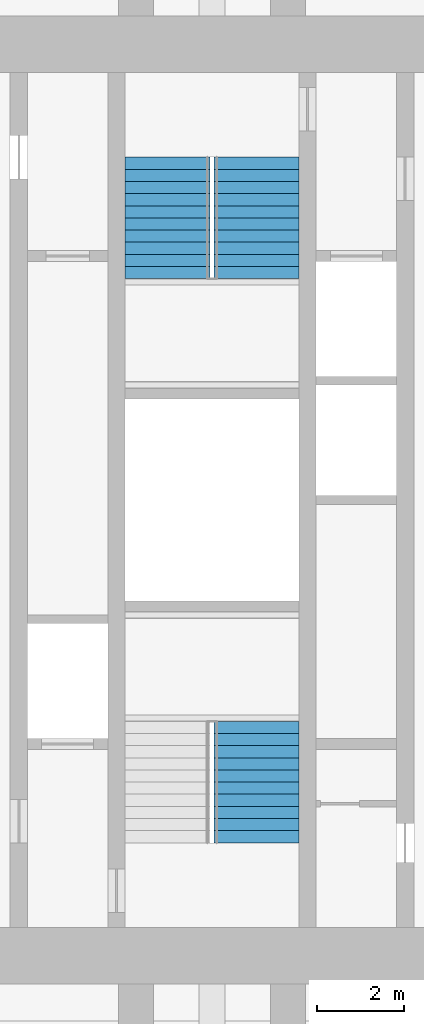
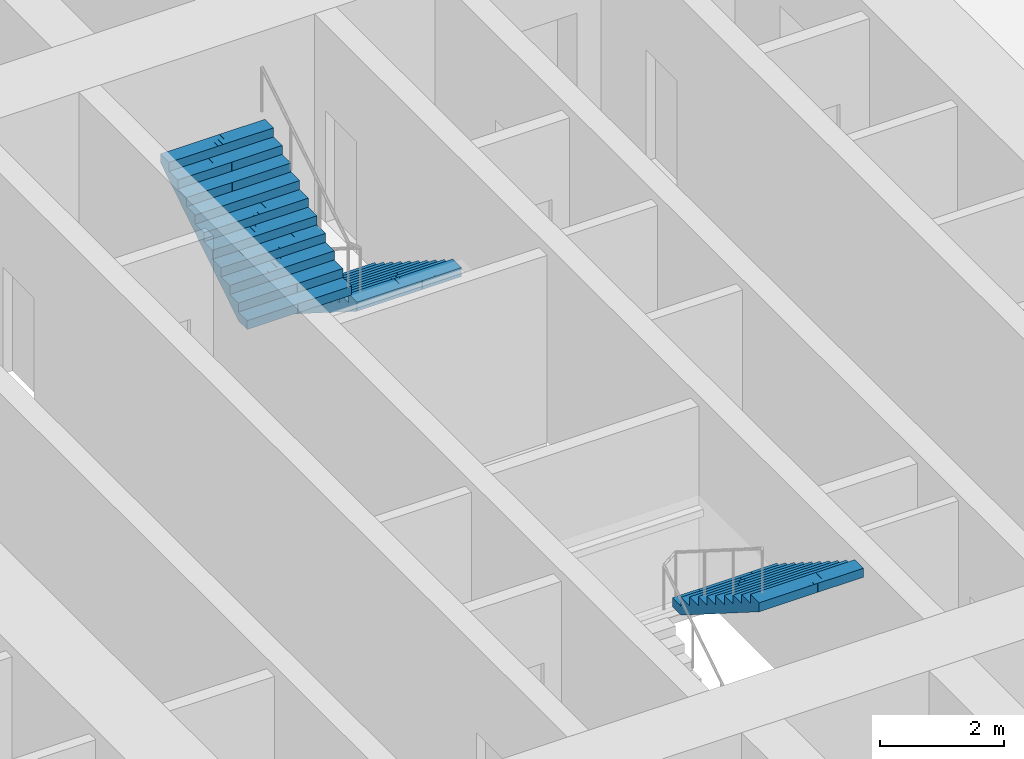
# One storey, part 16 of 17: 3 stair flights, 2 elements without a shape of their own.
"""IFC4 building model written with IfcOpenShell, lengths in metres."""

from ifc_helpers import new_model, si_unit, direction, frame, origin, place, context, subcontext, project, spatial, polyline, outline, extrude, material, type_object, element, aggregate, save


model = new_model("IFC4")

# Units and contexts
model_context = context("Model", 3, precision=1e-05, world=origin(), true_north=direction((0.0, 1.0)))
body_context = subcontext(model_context, "Body", "Model", "MODEL_VIEW")
ifc_project = project(units=[si_unit("LENGTHUNIT", "METRE"), si_unit("AREAUNIT", "SQUARE_METRE"), si_unit("VOLUMEUNIT", "CUBIC_METRE"), si_unit("PLANEANGLEUNIT", "RADIAN"), si_unit("MASSUNIT", "GRAM", prefix="KILO")], contexts=[model_context])

# Site, building, storey
site_placement = place(None, origin())
site = spatial("IfcSite", under=ifc_project, at=site_placement, CompositionType="ELEMENT")
building_placement = place(site_placement, origin())
building = spatial("IfcBuilding", under=site, at=building_placement, Name="Mizan Broadcast Tower", CompositionType="ELEMENT")
storey_placement = place(building_placement, frame((0.0, 0.0, 208.800048828125)))
storey = spatial("IfcBuildingStorey", under=building, at=storey_placement, Name="L48", CompositionType="ELEMENT", Elevation=208.800048828125)

# Stair, stair flight
ifc_material_1 = material(Name="Concrete C40/50", Category="concrete")
stair_type = type_object("IfcStairType", Name="EXIT STAIR", PredefinedType="HALF_TURN_STAIR", material=ifc_material_1)
stair_1_placement = place(storey_placement, origin())
stair_1 = element("IfcStair", 1, at=stair_1_placement, inside=storey, type_object=stair_type, Name="Stair A L48", PredefinedType="HALF_TURN_STAIR")
ifc_material_2 = material(Name="Concrete C40/50", Category="concrete")
stair_flight_type = type_object("IfcStairFlightType", Name="EXIT STAIR FLIGHT", PredefinedType="STRAIGHT", material=ifc_material_2)
stair_flight_1_placement = place(storey_placement, frame((1.02490234375, -5.10009765625, 1.949951171875), z_axis=(0.0, 0.0, 1.0), x_axis=(0.0, -1.0, 0.0)))
stair_flight_1 = element("IfcStairFlight", 2, at=stair_flight_1_placement, type_object=stair_flight_type, Name="A flight 2", NumberOfRisers=11, NumberOfTreads=10, PredefinedType="STRAIGHT", RiserHeight=0.177272727, TreadLength=0.28, context=body_context, shape_type="SweptSolid", body=[
    extrude(outline(polyline([(0.0, 0.0), (0.0, 0.17724609375), (0.280029296875, 0.17724609375), (0.280029296875, 0.3544921875), (0.56005859375, 0.3544921875), (0.56005859375, 0.53173828125), (0.840087890625, 0.53173828125), (0.840087890625, 0.708984375), (1.1201171875, 0.708984375), (1.1201171875, 0.886474609375), (1.39990234375, 0.886474609375), (1.39990234375, 1.063720703125), (1.679931640625, 1.063720703125), (1.679931640625, 1.240966796875), (1.9599609375, 1.240966796875), (1.9599609375, 1.418212890625), (2.239990234375, 1.418212890625), (2.239990234375, 1.595458984375), (2.52001953125, 1.595458984375), (2.52001953125, 1.772705078125), (2.800048828125, 1.772705078125), (2.800048828125, 1.949951171875), (2.800048828125, 1.59521484375), (0.2802734375, 0.0), (0.0, 0.0)])), frame((0.0, 0.97509765625, 0.0), z_axis=(0.0, -1.0, 0.0), x_axis=(1.0, 0.0, 0.0)), (0.0, 0.0, 1.0), 0.4873046875),
    extrude(outline(polyline([(0.0, 0.0), (0.0, 0.17724609375), (0.280029296875, 0.17724609375), (0.280029296875, 0.3544921875), (0.56005859375, 0.3544921875), (0.56005859375, 0.53173828125), (0.840087890625, 0.53173828125), (0.840087890625, 0.708984375), (1.1201171875, 0.708984375), (1.1201171875, 0.886474609375), (1.39990234375, 0.886474609375), (1.39990234375, 1.063720703125), (1.679931640625, 1.063720703125), (1.679931640625, 1.240966796875), (1.9599609375, 1.240966796875), (1.9599609375, 1.418212890625), (2.239990234375, 1.418212890625), (2.239990234375, 1.595458984375), (2.52001953125, 1.595458984375), (2.52001953125, 1.772705078125), (2.800048828125, 1.772705078125), (2.800048828125, 1.949951171875), (2.800048828125, 1.59521484375), (0.2802734375, 0.0), (0.0, 0.0)])), frame((0.0, 0.4873046875, 0.0), z_axis=(0.0, -1.0, 0.0), x_axis=(1.0, 0.0, 0.0)), (0.0, 0.0, 1.0), 0.2431640625),
    extrude(outline(polyline([(0.0, 0.0), (0.0, 0.17724609375), (0.280029296875, 0.17724609375), (0.280029296875, 0.3544921875), (0.56005859375, 0.3544921875), (0.56005859375, 0.53173828125), (0.840087890625, 0.53173828125), (0.840087890625, 0.708984375), (1.1201171875, 0.708984375), (1.1201171875, 0.886474609375), (1.39990234375, 0.886474609375), (1.39990234375, 1.063720703125), (1.679931640625, 1.063720703125), (1.679931640625, 1.240966796875), (1.9599609375, 1.240966796875), (1.9599609375, 1.418212890625), (2.239990234375, 1.418212890625), (2.239990234375, 1.595458984375), (2.52001953125, 1.595458984375), (2.52001953125, 1.772705078125), (2.800048828125, 1.772705078125), (2.800048828125, 1.949951171875), (2.800048828125, 1.59521484375), (0.2802734375, 0.0), (0.0, 0.0)])), frame((0.0, 0.24365234375, 0.0), z_axis=(0.0, -1.0, 0.0), x_axis=(1.0, 0.0, 0.0)), (0.0, 0.0, 1.0), 0.121337890625),
    extrude(outline(polyline([(0.0, 0.0), (0.0, 0.17724609375), (0.280029296875, 0.17724609375), (0.280029296875, 0.3544921875), (0.56005859375, 0.3544921875), (0.56005859375, 0.53173828125), (0.840087890625, 0.53173828125), (0.840087890625, 0.708984375), (1.1201171875, 0.708984375), (1.1201171875, 0.886474609375), (1.39990234375, 0.886474609375), (1.39990234375, 1.063720703125), (1.679931640625, 1.063720703125), (1.679931640625, 1.240966796875), (1.9599609375, 1.240966796875), (1.9599609375, 1.418212890625), (2.239990234375, 1.418212890625), (2.239990234375, 1.595458984375), (2.52001953125, 1.595458984375), (2.52001953125, 1.772705078125), (2.800048828125, 1.772705078125), (2.800048828125, 1.949951171875), (2.800048828125, 1.59521484375), (0.2802734375, 0.0), (0.0, 0.0)])), frame((0.0, 0.121826171875, 0.0), z_axis=(0.0, -1.0, 0.0), x_axis=(1.0, 0.0, 0.0)), (0.0, 0.0, 1.0), 0.060546875),
    extrude(outline(polyline([(0.0, 0.0), (0.0, 0.17724609375), (0.280029296875, 0.17724609375), (0.280029296875, 0.3544921875), (0.56005859375, 0.3544921875), (0.56005859375, 0.53173828125), (0.840087890625, 0.53173828125), (0.840087890625, 0.708984375), (1.1201171875, 0.708984375), (1.1201171875, 0.886474609375), (1.39990234375, 0.886474609375), (1.39990234375, 1.063720703125), (1.679931640625, 1.063720703125), (1.679931640625, 1.240966796875), (1.9599609375, 1.240966796875), (1.9599609375, 1.418212890625), (2.239990234375, 1.418212890625), (2.239990234375, 1.595458984375), (2.52001953125, 1.595458984375), (2.52001953125, 1.772705078125), (2.800048828125, 1.772705078125), (2.800048828125, 1.949951171875), (2.800048828125, 1.59521484375), (0.2802734375, 0.0), (0.0, 0.0)])), frame((0.0, 0.060791015625, 0.0), z_axis=(0.0, -1.0, 0.0), x_axis=(1.0, 0.0, 0.0)), (0.0, 0.0, 1.0), 0.030029296875),
    extrude(outline(polyline([(0.0, 0.0), (0.0, 0.17724609375), (0.280029296875, 0.17724609375), (0.280029296875, 0.3544921875), (0.56005859375, 0.3544921875), (0.56005859375, 0.53173828125), (0.840087890625, 0.53173828125), (0.840087890625, 0.708984375), (1.1201171875, 0.708984375), (1.1201171875, 0.886474609375), (1.39990234375, 0.886474609375), (1.39990234375, 1.063720703125), (1.679931640625, 1.063720703125), (1.679931640625, 1.240966796875), (1.9599609375, 1.240966796875), (1.9599609375, 1.418212890625), (2.239990234375, 1.418212890625), (2.239990234375, 1.595458984375), (2.52001953125, 1.595458984375), (2.52001953125, 1.772705078125), (2.800048828125, 1.772705078125), (2.800048828125, 1.949951171875), (2.800048828125, 1.59521484375), (0.2802734375, 0.0), (0.0, 0.0)])), frame((0.0, 0.0302734375, 0.0), z_axis=(0.0, -1.0, 0.0), x_axis=(1.0, 0.0, 0.0)), (0.0, 0.0, 1.0), 0.060302734375),
    extrude(outline(polyline([(0.0, 0.0), (0.0, 0.17724609375), (0.280029296875, 0.17724609375), (0.280029296875, 0.3544921875), (0.56005859375, 0.3544921875), (0.56005859375, 0.53173828125), (0.840087890625, 0.53173828125), (0.840087890625, 0.708984375), (1.1201171875, 0.708984375), (1.1201171875, 0.886474609375), (1.39990234375, 0.886474609375), (1.39990234375, 1.063720703125), (1.679931640625, 1.063720703125), (1.679931640625, 1.240966796875), (1.9599609375, 1.240966796875), (1.9599609375, 1.418212890625), (2.239990234375, 1.418212890625), (2.239990234375, 1.595458984375), (2.52001953125, 1.595458984375), (2.52001953125, 1.772705078125), (2.800048828125, 1.772705078125), (2.800048828125, 1.949951171875), (2.800048828125, 1.59521484375), (0.2802734375, 0.0), (0.0, 0.0)])), frame((0.0, -0.030517578125, 0.0), z_axis=(0.0, -1.0, 0.0), x_axis=(1.0, 0.0, 0.0)), (0.0, 0.0, 1.0), 0.030029296875),
    extrude(outline(polyline([(0.0, 0.0), (0.0, 0.17724609375), (0.280029296875, 0.17724609375), (0.280029296875, 0.3544921875), (0.56005859375, 0.3544921875), (0.56005859375, 0.53173828125), (0.840087890625, 0.53173828125), (0.840087890625, 0.708984375), (1.1201171875, 0.708984375), (1.1201171875, 0.886474609375), (1.39990234375, 0.886474609375), (1.39990234375, 1.063720703125), (1.679931640625, 1.063720703125), (1.679931640625, 1.240966796875), (1.9599609375, 1.240966796875), (1.9599609375, 1.418212890625), (2.239990234375, 1.418212890625), (2.239990234375, 1.595458984375), (2.52001953125, 1.595458984375), (2.52001953125, 1.772705078125), (2.800048828125, 1.772705078125), (2.800048828125, 1.949951171875), (2.800048828125, 1.59521484375), (0.2802734375, 0.0), (0.0, 0.0)])), frame((0.0, -0.06103515625, 0.0), z_axis=(0.0, -1.0, 0.0), x_axis=(1.0, 0.0, 0.0)), (0.0, 0.0, 1.0), 0.060546875),
    extrude(outline(polyline([(0.0, 0.0), (0.0, 0.17724609375), (0.280029296875, 0.17724609375), (0.280029296875, 0.3544921875), (0.56005859375, 0.3544921875), (0.56005859375, 0.53173828125), (0.840087890625, 0.53173828125), (0.840087890625, 0.708984375), (1.1201171875, 0.708984375), (1.1201171875, 0.886474609375), (1.39990234375, 0.886474609375), (1.39990234375, 1.063720703125), (1.679931640625, 1.063720703125), (1.679931640625, 1.240966796875), (1.9599609375, 1.240966796875), (1.9599609375, 1.418212890625), (2.239990234375, 1.418212890625), (2.239990234375, 1.595458984375), (2.52001953125, 1.595458984375), (2.52001953125, 1.772705078125), (2.800048828125, 1.772705078125), (2.800048828125, 1.949951171875), (2.800048828125, 1.59521484375), (0.2802734375, 0.0), (0.0, 0.0)])), frame((0.0, -0.1220703125, 0.0), z_axis=(0.0, -1.0, 0.0), x_axis=(1.0, 0.0, 0.0)), (0.0, 0.0, 1.0), 0.121337890625),
    extrude(outline(polyline([(0.0, 0.0), (0.0, 0.17724609375), (0.280029296875, 0.17724609375), (0.280029296875, 0.3544921875), (0.56005859375, 0.3544921875), (0.56005859375, 0.53173828125), (0.840087890625, 0.53173828125), (0.840087890625, 0.708984375), (1.1201171875, 0.708984375), (1.1201171875, 0.886474609375), (1.39990234375, 0.886474609375), (1.39990234375, 1.063720703125), (1.679931640625, 1.063720703125), (1.679931640625, 1.240966796875), (1.9599609375, 1.240966796875), (1.9599609375, 1.418212890625), (2.239990234375, 1.418212890625), (2.239990234375, 1.595458984375), (2.52001953125, 1.595458984375), (2.52001953125, 1.772705078125), (2.800048828125, 1.772705078125), (2.800048828125, 1.949951171875), (2.800048828125, 1.59521484375), (0.2802734375, 0.0), (0.0, 0.0)])), frame((0.0, -0.243896484375, 0.0), z_axis=(0.0, -1.0, 0.0), x_axis=(1.0, 0.0, 0.0)), (0.0, 0.0, 1.0), 0.2431640625),
    extrude(outline(polyline([(0.0, 0.0), (0.0, 0.17724609375), (0.280029296875, 0.17724609375), (0.280029296875, 0.3544921875), (0.56005859375, 0.3544921875), (0.56005859375, 0.53173828125), (0.840087890625, 0.53173828125), (0.840087890625, 0.708984375), (1.1201171875, 0.708984375), (1.1201171875, 0.886474609375), (1.39990234375, 0.886474609375), (1.39990234375, 1.063720703125), (1.679931640625, 1.063720703125), (1.679931640625, 1.240966796875), (1.9599609375, 1.240966796875), (1.9599609375, 1.418212890625), (2.239990234375, 1.418212890625), (2.239990234375, 1.595458984375), (2.52001953125, 1.595458984375), (2.52001953125, 1.772705078125), (2.800048828125, 1.772705078125), (2.800048828125, 1.949951171875), (2.800048828125, 1.59521484375), (0.2802734375, 0.0), (0.0, 0.0)])), frame((0.0, -0.487548828125, 0.0), z_axis=(0.0, -1.0, 0.0), x_axis=(1.0, 0.0, 0.0)), (0.0, 0.0, 1.0), 0.4873046875),
])
aggregate(stair_1, [stair_flight_1])

# Stair, stair flights
stair_2_placement = place(storey_placement, origin())
stair_2 = element("IfcStair", 3, at=stair_2_placement, inside=storey, type_object=stair_type, Name="Stair B L48", PredefinedType="HALF_TURN_STAIR")
stair_flight_2_placement = place(storey_placement, frame((1.02490234375, 7.89990234375, 0.0), z_axis=(0.0, 0.0, 1.0), x_axis=(0.0, -1.0, 0.0)))
stair_flight_2 = element("IfcStairFlight", 4, at=stair_flight_2_placement, type_object=stair_flight_type, Name="B flight 1", NumberOfRisers=11, NumberOfTreads=10, PredefinedType="STRAIGHT", RiserHeight=0.177272727, TreadLength=0.28, context=body_context, shape_type="SweptSolid", body=[
    extrude(outline(polyline([(0.0, 0.0), (0.0, 0.17724609375), (0.280029296875, 0.17724609375), (0.280029296875, 0.3544921875), (0.56005859375, 0.3544921875), (0.56005859375, 0.53173828125), (0.840087890625, 0.53173828125), (0.840087890625, 0.708984375), (1.1201171875, 0.708984375), (1.1201171875, 0.886474609375), (1.39990234375, 0.886474609375), (1.39990234375, 1.063720703125), (1.679931640625, 1.063720703125), (1.679931640625, 1.240966796875), (1.9599609375, 1.240966796875), (1.9599609375, 1.418212890625), (2.239990234375, 1.418212890625), (2.239990234375, 1.595458984375), (2.52001953125, 1.595458984375), (2.52001953125, 1.772705078125), (2.800048828125, 1.772705078125), (2.800048828125, 1.949951171875), (2.800048828125, 1.59521484375), (0.2802734375, 0.0), (0.0, 0.0)])), frame((0.0, 0.97509765625, 0.0), z_axis=(0.0, -1.0, 0.0), x_axis=(1.0, 0.0, 0.0)), (0.0, 0.0, 1.0), 0.4873046875),
    extrude(outline(polyline([(0.0, 0.0), (0.0, 0.17724609375), (0.280029296875, 0.17724609375), (0.280029296875, 0.3544921875), (0.56005859375, 0.3544921875), (0.56005859375, 0.53173828125), (0.840087890625, 0.53173828125), (0.840087890625, 0.708984375), (1.1201171875, 0.708984375), (1.1201171875, 0.886474609375), (1.39990234375, 0.886474609375), (1.39990234375, 1.063720703125), (1.679931640625, 1.063720703125), (1.679931640625, 1.240966796875), (1.9599609375, 1.240966796875), (1.9599609375, 1.418212890625), (2.239990234375, 1.418212890625), (2.239990234375, 1.595458984375), (2.52001953125, 1.595458984375), (2.52001953125, 1.772705078125), (2.800048828125, 1.772705078125), (2.800048828125, 1.949951171875), (2.800048828125, 1.59521484375), (0.2802734375, 0.0), (0.0, 0.0)])), frame((0.0, 0.4873046875, 0.0), z_axis=(0.0, -1.0, 0.0), x_axis=(1.0, 0.0, 0.0)), (0.0, 0.0, 1.0), 0.2431640625),
    extrude(outline(polyline([(0.0, 0.0), (0.0, 0.17724609375), (0.280029296875, 0.17724609375), (0.280029296875, 0.3544921875), (0.56005859375, 0.3544921875), (0.56005859375, 0.53173828125), (0.840087890625, 0.53173828125), (0.840087890625, 0.708984375), (1.1201171875, 0.708984375), (1.1201171875, 0.886474609375), (1.39990234375, 0.886474609375), (1.39990234375, 1.063720703125), (1.679931640625, 1.063720703125), (1.679931640625, 1.240966796875), (1.9599609375, 1.240966796875), (1.9599609375, 1.418212890625), (2.239990234375, 1.418212890625), (2.239990234375, 1.595458984375), (2.52001953125, 1.595458984375), (2.52001953125, 1.772705078125), (2.800048828125, 1.772705078125), (2.800048828125, 1.949951171875), (2.800048828125, 1.59521484375), (0.2802734375, 0.0), (0.0, 0.0)])), frame((0.0, 0.24365234375, 0.0), z_axis=(0.0, -1.0, 0.0), x_axis=(1.0, 0.0, 0.0)), (0.0, 0.0, 1.0), 0.121337890625),
    extrude(outline(polyline([(0.0, 0.0), (0.0, 0.17724609375), (0.280029296875, 0.17724609375), (0.280029296875, 0.3544921875), (0.56005859375, 0.3544921875), (0.56005859375, 0.53173828125), (0.840087890625, 0.53173828125), (0.840087890625, 0.708984375), (1.1201171875, 0.708984375), (1.1201171875, 0.886474609375), (1.39990234375, 0.886474609375), (1.39990234375, 1.063720703125), (1.679931640625, 1.063720703125), (1.679931640625, 1.240966796875), (1.9599609375, 1.240966796875), (1.9599609375, 1.418212890625), (2.239990234375, 1.418212890625), (2.239990234375, 1.595458984375), (2.52001953125, 1.595458984375), (2.52001953125, 1.772705078125), (2.800048828125, 1.772705078125), (2.800048828125, 1.949951171875), (2.800048828125, 1.59521484375), (0.2802734375, 0.0), (0.0, 0.0)])), frame((0.0, 0.121826171875, 0.0), z_axis=(0.0, -1.0, 0.0), x_axis=(1.0, 0.0, 0.0)), (0.0, 0.0, 1.0), 0.060546875),
    extrude(outline(polyline([(0.0, 0.0), (0.0, 0.17724609375), (0.280029296875, 0.17724609375), (0.280029296875, 0.3544921875), (0.56005859375, 0.3544921875), (0.56005859375, 0.53173828125), (0.840087890625, 0.53173828125), (0.840087890625, 0.708984375), (1.1201171875, 0.708984375), (1.1201171875, 0.886474609375), (1.39990234375, 0.886474609375), (1.39990234375, 1.063720703125), (1.679931640625, 1.063720703125), (1.679931640625, 1.240966796875), (1.9599609375, 1.240966796875), (1.9599609375, 1.418212890625), (2.239990234375, 1.418212890625), (2.239990234375, 1.595458984375), (2.52001953125, 1.595458984375), (2.52001953125, 1.772705078125), (2.800048828125, 1.772705078125), (2.800048828125, 1.949951171875), (2.800048828125, 1.59521484375), (0.2802734375, 0.0), (0.0, 0.0)])), frame((0.0, 0.060791015625, 0.0), z_axis=(0.0, -1.0, 0.0), x_axis=(1.0, 0.0, 0.0)), (0.0, 0.0, 1.0), 0.030029296875),
    extrude(outline(polyline([(0.0, 0.0), (0.0, 0.17724609375), (0.280029296875, 0.17724609375), (0.280029296875, 0.3544921875), (0.56005859375, 0.3544921875), (0.56005859375, 0.53173828125), (0.840087890625, 0.53173828125), (0.840087890625, 0.708984375), (1.1201171875, 0.708984375), (1.1201171875, 0.886474609375), (1.39990234375, 0.886474609375), (1.39990234375, 1.063720703125), (1.679931640625, 1.063720703125), (1.679931640625, 1.240966796875), (1.9599609375, 1.240966796875), (1.9599609375, 1.418212890625), (2.239990234375, 1.418212890625), (2.239990234375, 1.595458984375), (2.52001953125, 1.595458984375), (2.52001953125, 1.772705078125), (2.800048828125, 1.772705078125), (2.800048828125, 1.949951171875), (2.800048828125, 1.59521484375), (0.2802734375, 0.0), (0.0, 0.0)])), frame((0.0, 0.0302734375, 0.0), z_axis=(0.0, -1.0, 0.0), x_axis=(1.0, 0.0, 0.0)), (0.0, 0.0, 1.0), 0.060302734375),
    extrude(outline(polyline([(0.0, 0.0), (0.0, 0.17724609375), (0.280029296875, 0.17724609375), (0.280029296875, 0.3544921875), (0.56005859375, 0.3544921875), (0.56005859375, 0.53173828125), (0.840087890625, 0.53173828125), (0.840087890625, 0.708984375), (1.1201171875, 0.708984375), (1.1201171875, 0.886474609375), (1.39990234375, 0.886474609375), (1.39990234375, 1.063720703125), (1.679931640625, 1.063720703125), (1.679931640625, 1.240966796875), (1.9599609375, 1.240966796875), (1.9599609375, 1.418212890625), (2.239990234375, 1.418212890625), (2.239990234375, 1.595458984375), (2.52001953125, 1.595458984375), (2.52001953125, 1.772705078125), (2.800048828125, 1.772705078125), (2.800048828125, 1.949951171875), (2.800048828125, 1.59521484375), (0.2802734375, 0.0), (0.0, 0.0)])), frame((0.0, -0.030517578125, 0.0), z_axis=(0.0, -1.0, 0.0), x_axis=(1.0, 0.0, 0.0)), (0.0, 0.0, 1.0), 0.030029296875),
    extrude(outline(polyline([(0.0, 0.0), (0.0, 0.17724609375), (0.280029296875, 0.17724609375), (0.280029296875, 0.3544921875), (0.56005859375, 0.3544921875), (0.56005859375, 0.53173828125), (0.840087890625, 0.53173828125), (0.840087890625, 0.708984375), (1.1201171875, 0.708984375), (1.1201171875, 0.886474609375), (1.39990234375, 0.886474609375), (1.39990234375, 1.063720703125), (1.679931640625, 1.063720703125), (1.679931640625, 1.240966796875), (1.9599609375, 1.240966796875), (1.9599609375, 1.418212890625), (2.239990234375, 1.418212890625), (2.239990234375, 1.595458984375), (2.52001953125, 1.595458984375), (2.52001953125, 1.772705078125), (2.800048828125, 1.772705078125), (2.800048828125, 1.949951171875), (2.800048828125, 1.59521484375), (0.2802734375, 0.0), (0.0, 0.0)])), frame((0.0, -0.06103515625, 0.0), z_axis=(0.0, -1.0, 0.0), x_axis=(1.0, 0.0, 0.0)), (0.0, 0.0, 1.0), 0.060546875),
    extrude(outline(polyline([(0.0, 0.0), (0.0, 0.17724609375), (0.280029296875, 0.17724609375), (0.280029296875, 0.3544921875), (0.56005859375, 0.3544921875), (0.56005859375, 0.53173828125), (0.840087890625, 0.53173828125), (0.840087890625, 0.708984375), (1.1201171875, 0.708984375), (1.1201171875, 0.886474609375), (1.39990234375, 0.886474609375), (1.39990234375, 1.063720703125), (1.679931640625, 1.063720703125), (1.679931640625, 1.240966796875), (1.9599609375, 1.240966796875), (1.9599609375, 1.418212890625), (2.239990234375, 1.418212890625), (2.239990234375, 1.595458984375), (2.52001953125, 1.595458984375), (2.52001953125, 1.772705078125), (2.800048828125, 1.772705078125), (2.800048828125, 1.949951171875), (2.800048828125, 1.59521484375), (0.2802734375, 0.0), (0.0, 0.0)])), frame((0.0, -0.1220703125, 0.0), z_axis=(0.0, -1.0, 0.0), x_axis=(1.0, 0.0, 0.0)), (0.0, 0.0, 1.0), 0.121337890625),
    extrude(outline(polyline([(0.0, 0.0), (0.0, 0.17724609375), (0.280029296875, 0.17724609375), (0.280029296875, 0.3544921875), (0.56005859375, 0.3544921875), (0.56005859375, 0.53173828125), (0.840087890625, 0.53173828125), (0.840087890625, 0.708984375), (1.1201171875, 0.708984375), (1.1201171875, 0.886474609375), (1.39990234375, 0.886474609375), (1.39990234375, 1.063720703125), (1.679931640625, 1.063720703125), (1.679931640625, 1.240966796875), (1.9599609375, 1.240966796875), (1.9599609375, 1.418212890625), (2.239990234375, 1.418212890625), (2.239990234375, 1.595458984375), (2.52001953125, 1.595458984375), (2.52001953125, 1.772705078125), (2.800048828125, 1.772705078125), (2.800048828125, 1.949951171875), (2.800048828125, 1.59521484375), (0.2802734375, 0.0), (0.0, 0.0)])), frame((0.0, -0.243896484375, 0.0), z_axis=(0.0, -1.0, 0.0), x_axis=(1.0, 0.0, 0.0)), (0.0, 0.0, 1.0), 0.2431640625),
    extrude(outline(polyline([(0.0, 0.0), (0.0, 0.17724609375), (0.280029296875, 0.17724609375), (0.280029296875, 0.3544921875), (0.56005859375, 0.3544921875), (0.56005859375, 0.53173828125), (0.840087890625, 0.53173828125), (0.840087890625, 0.708984375), (1.1201171875, 0.708984375), (1.1201171875, 0.886474609375), (1.39990234375, 0.886474609375), (1.39990234375, 1.063720703125), (1.679931640625, 1.063720703125), (1.679931640625, 1.240966796875), (1.9599609375, 1.240966796875), (1.9599609375, 1.418212890625), (2.239990234375, 1.418212890625), (2.239990234375, 1.595458984375), (2.52001953125, 1.595458984375), (2.52001953125, 1.772705078125), (2.800048828125, 1.772705078125), (2.800048828125, 1.949951171875), (2.800048828125, 1.59521484375), (0.2802734375, 0.0), (0.0, 0.0)])), frame((0.0, -0.487548828125, 0.0), z_axis=(0.0, -1.0, 0.0), x_axis=(1.0, 0.0, 0.0)), (0.0, 0.0, 1.0), 0.4873046875),
])
stair_flight_3_placement = place(storey_placement, frame((-1.02490234375, 5.10009765625, 1.949951171875), z_axis=(0.0, 0.0, 1.0), x_axis=(0.0, 1.0, 0.0)))
stair_flight_3 = element("IfcStairFlight", 5, at=stair_flight_3_placement, type_object=stair_flight_type, Name="B flight 2", NumberOfRisers=11, NumberOfTreads=10, PredefinedType="STRAIGHT", RiserHeight=0.177272727, TreadLength=0.28, context=body_context, shape_type="SweptSolid", body=[
    extrude(outline(polyline([(0.0, 0.0), (0.0, 0.17724609375), (0.280029296875, 0.17724609375), (0.280029296875, 0.3544921875), (0.56005859375, 0.3544921875), (0.56005859375, 0.53173828125), (0.840087890625, 0.53173828125), (0.840087890625, 0.708984375), (1.1201171875, 0.708984375), (1.1201171875, 0.886474609375), (1.39990234375, 0.886474609375), (1.39990234375, 1.063720703125), (1.679931640625, 1.063720703125), (1.679931640625, 1.240966796875), (1.9599609375, 1.240966796875), (1.9599609375, 1.418212890625), (2.239990234375, 1.418212890625), (2.239990234375, 1.595458984375), (2.52001953125, 1.595458984375), (2.52001953125, 1.772705078125), (2.800048828125, 1.772705078125), (2.800048828125, 1.949951171875), (2.800048828125, 1.59521484375), (0.2802734375, 0.0), (0.0, 0.0)])), frame((0.0, 0.97509765625, 0.0), z_axis=(0.0, -1.0, 0.0), x_axis=(1.0, 0.0, 0.0)), (0.0, 0.0, 1.0), 0.4873046875),
    extrude(outline(polyline([(0.0, 0.0), (0.0, 0.17724609375), (0.280029296875, 0.17724609375), (0.280029296875, 0.3544921875), (0.56005859375, 0.3544921875), (0.56005859375, 0.53173828125), (0.840087890625, 0.53173828125), (0.840087890625, 0.708984375), (1.1201171875, 0.708984375), (1.1201171875, 0.886474609375), (1.39990234375, 0.886474609375), (1.39990234375, 1.063720703125), (1.679931640625, 1.063720703125), (1.679931640625, 1.240966796875), (1.9599609375, 1.240966796875), (1.9599609375, 1.418212890625), (2.239990234375, 1.418212890625), (2.239990234375, 1.595458984375), (2.52001953125, 1.595458984375), (2.52001953125, 1.772705078125), (2.800048828125, 1.772705078125), (2.800048828125, 1.949951171875), (2.800048828125, 1.59521484375), (0.2802734375, 0.0), (0.0, 0.0)])), frame((0.0, 0.4873046875, 0.0), z_axis=(0.0, -1.0, 0.0), x_axis=(1.0, 0.0, 0.0)), (0.0, 0.0, 1.0), 0.2431640625),
    extrude(outline(polyline([(0.0, 0.0), (0.0, 0.17724609375), (0.280029296875, 0.17724609375), (0.280029296875, 0.3544921875), (0.56005859375, 0.3544921875), (0.56005859375, 0.53173828125), (0.840087890625, 0.53173828125), (0.840087890625, 0.708984375), (1.1201171875, 0.708984375), (1.1201171875, 0.886474609375), (1.39990234375, 0.886474609375), (1.39990234375, 1.063720703125), (1.679931640625, 1.063720703125), (1.679931640625, 1.240966796875), (1.9599609375, 1.240966796875), (1.9599609375, 1.418212890625), (2.239990234375, 1.418212890625), (2.239990234375, 1.595458984375), (2.52001953125, 1.595458984375), (2.52001953125, 1.772705078125), (2.800048828125, 1.772705078125), (2.800048828125, 1.949951171875), (2.800048828125, 1.59521484375), (0.2802734375, 0.0), (0.0, 0.0)])), frame((0.0, 0.24365234375, 0.0), z_axis=(0.0, -1.0, 0.0), x_axis=(1.0, 0.0, 0.0)), (0.0, 0.0, 1.0), 0.121337890625),
    extrude(outline(polyline([(0.0, 0.0), (0.0, 0.17724609375), (0.280029296875, 0.17724609375), (0.280029296875, 0.3544921875), (0.56005859375, 0.3544921875), (0.56005859375, 0.53173828125), (0.840087890625, 0.53173828125), (0.840087890625, 0.708984375), (1.1201171875, 0.708984375), (1.1201171875, 0.886474609375), (1.39990234375, 0.886474609375), (1.39990234375, 1.063720703125), (1.679931640625, 1.063720703125), (1.679931640625, 1.240966796875), (1.9599609375, 1.240966796875), (1.9599609375, 1.418212890625), (2.239990234375, 1.418212890625), (2.239990234375, 1.595458984375), (2.52001953125, 1.595458984375), (2.52001953125, 1.772705078125), (2.800048828125, 1.772705078125), (2.800048828125, 1.949951171875), (2.800048828125, 1.59521484375), (0.2802734375, 0.0), (0.0, 0.0)])), frame((0.0, 0.121826171875, 0.0), z_axis=(0.0, -1.0, 0.0), x_axis=(1.0, 0.0, 0.0)), (0.0, 0.0, 1.0), 0.060546875),
    extrude(outline(polyline([(0.0, 0.0), (0.0, 0.17724609375), (0.280029296875, 0.17724609375), (0.280029296875, 0.3544921875), (0.56005859375, 0.3544921875), (0.56005859375, 0.53173828125), (0.840087890625, 0.53173828125), (0.840087890625, 0.708984375), (1.1201171875, 0.708984375), (1.1201171875, 0.886474609375), (1.39990234375, 0.886474609375), (1.39990234375, 1.063720703125), (1.679931640625, 1.063720703125), (1.679931640625, 1.240966796875), (1.9599609375, 1.240966796875), (1.9599609375, 1.418212890625), (2.239990234375, 1.418212890625), (2.239990234375, 1.595458984375), (2.52001953125, 1.595458984375), (2.52001953125, 1.772705078125), (2.800048828125, 1.772705078125), (2.800048828125, 1.949951171875), (2.800048828125, 1.59521484375), (0.2802734375, 0.0), (0.0, 0.0)])), frame((0.0, 0.060791015625, 0.0), z_axis=(0.0, -1.0, 0.0), x_axis=(1.0, 0.0, 0.0)), (0.0, 0.0, 1.0), 0.030029296875),
    extrude(outline(polyline([(0.0, 0.0), (0.0, 0.17724609375), (0.280029296875, 0.17724609375), (0.280029296875, 0.3544921875), (0.56005859375, 0.3544921875), (0.56005859375, 0.53173828125), (0.840087890625, 0.53173828125), (0.840087890625, 0.708984375), (1.1201171875, 0.708984375), (1.1201171875, 0.886474609375), (1.39990234375, 0.886474609375), (1.39990234375, 1.063720703125), (1.679931640625, 1.063720703125), (1.679931640625, 1.240966796875), (1.9599609375, 1.240966796875), (1.9599609375, 1.418212890625), (2.239990234375, 1.418212890625), (2.239990234375, 1.595458984375), (2.52001953125, 1.595458984375), (2.52001953125, 1.772705078125), (2.800048828125, 1.772705078125), (2.800048828125, 1.949951171875), (2.800048828125, 1.59521484375), (0.2802734375, 0.0), (0.0, 0.0)])), frame((0.0, 0.0302734375, 0.0), z_axis=(0.0, -1.0, 0.0), x_axis=(1.0, 0.0, 0.0)), (0.0, 0.0, 1.0), 0.060302734375),
    extrude(outline(polyline([(0.0, 0.0), (0.0, 0.17724609375), (0.280029296875, 0.17724609375), (0.280029296875, 0.3544921875), (0.56005859375, 0.3544921875), (0.56005859375, 0.53173828125), (0.840087890625, 0.53173828125), (0.840087890625, 0.708984375), (1.1201171875, 0.708984375), (1.1201171875, 0.886474609375), (1.39990234375, 0.886474609375), (1.39990234375, 1.063720703125), (1.679931640625, 1.063720703125), (1.679931640625, 1.240966796875), (1.9599609375, 1.240966796875), (1.9599609375, 1.418212890625), (2.239990234375, 1.418212890625), (2.239990234375, 1.595458984375), (2.52001953125, 1.595458984375), (2.52001953125, 1.772705078125), (2.800048828125, 1.772705078125), (2.800048828125, 1.949951171875), (2.800048828125, 1.59521484375), (0.2802734375, 0.0), (0.0, 0.0)])), frame((0.0, -0.030517578125, 0.0), z_axis=(0.0, -1.0, 0.0), x_axis=(1.0, 0.0, 0.0)), (0.0, 0.0, 1.0), 0.030029296875),
    extrude(outline(polyline([(0.0, 0.0), (0.0, 0.17724609375), (0.280029296875, 0.17724609375), (0.280029296875, 0.3544921875), (0.56005859375, 0.3544921875), (0.56005859375, 0.53173828125), (0.840087890625, 0.53173828125), (0.840087890625, 0.708984375), (1.1201171875, 0.708984375), (1.1201171875, 0.886474609375), (1.39990234375, 0.886474609375), (1.39990234375, 1.063720703125), (1.679931640625, 1.063720703125), (1.679931640625, 1.240966796875), (1.9599609375, 1.240966796875), (1.9599609375, 1.418212890625), (2.239990234375, 1.418212890625), (2.239990234375, 1.595458984375), (2.52001953125, 1.595458984375), (2.52001953125, 1.772705078125), (2.800048828125, 1.772705078125), (2.800048828125, 1.949951171875), (2.800048828125, 1.59521484375), (0.2802734375, 0.0), (0.0, 0.0)])), frame((0.0, -0.06103515625, 0.0), z_axis=(0.0, -1.0, 0.0), x_axis=(1.0, 0.0, 0.0)), (0.0, 0.0, 1.0), 0.060546875),
    extrude(outline(polyline([(0.0, 0.0), (0.0, 0.17724609375), (0.280029296875, 0.17724609375), (0.280029296875, 0.3544921875), (0.56005859375, 0.3544921875), (0.56005859375, 0.53173828125), (0.840087890625, 0.53173828125), (0.840087890625, 0.708984375), (1.1201171875, 0.708984375), (1.1201171875, 0.886474609375), (1.39990234375, 0.886474609375), (1.39990234375, 1.063720703125), (1.679931640625, 1.063720703125), (1.679931640625, 1.240966796875), (1.9599609375, 1.240966796875), (1.9599609375, 1.418212890625), (2.239990234375, 1.418212890625), (2.239990234375, 1.595458984375), (2.52001953125, 1.595458984375), (2.52001953125, 1.772705078125), (2.800048828125, 1.772705078125), (2.800048828125, 1.949951171875), (2.800048828125, 1.59521484375), (0.2802734375, 0.0), (0.0, 0.0)])), frame((0.0, -0.1220703125, 0.0), z_axis=(0.0, -1.0, 0.0), x_axis=(1.0, 0.0, 0.0)), (0.0, 0.0, 1.0), 0.121337890625),
    extrude(outline(polyline([(0.0, 0.0), (0.0, 0.17724609375), (0.280029296875, 0.17724609375), (0.280029296875, 0.3544921875), (0.56005859375, 0.3544921875), (0.56005859375, 0.53173828125), (0.840087890625, 0.53173828125), (0.840087890625, 0.708984375), (1.1201171875, 0.708984375), (1.1201171875, 0.886474609375), (1.39990234375, 0.886474609375), (1.39990234375, 1.063720703125), (1.679931640625, 1.063720703125), (1.679931640625, 1.240966796875), (1.9599609375, 1.240966796875), (1.9599609375, 1.418212890625), (2.239990234375, 1.418212890625), (2.239990234375, 1.595458984375), (2.52001953125, 1.595458984375), (2.52001953125, 1.772705078125), (2.800048828125, 1.772705078125), (2.800048828125, 1.949951171875), (2.800048828125, 1.59521484375), (0.2802734375, 0.0), (0.0, 0.0)])), frame((0.0, -0.243896484375, 0.0), z_axis=(0.0, -1.0, 0.0), x_axis=(1.0, 0.0, 0.0)), (0.0, 0.0, 1.0), 0.2431640625),
    extrude(outline(polyline([(0.0, 0.0), (0.0, 0.17724609375), (0.280029296875, 0.17724609375), (0.280029296875, 0.3544921875), (0.56005859375, 0.3544921875), (0.56005859375, 0.53173828125), (0.840087890625, 0.53173828125), (0.840087890625, 0.708984375), (1.1201171875, 0.708984375), (1.1201171875, 0.886474609375), (1.39990234375, 0.886474609375), (1.39990234375, 1.063720703125), (1.679931640625, 1.063720703125), (1.679931640625, 1.240966796875), (1.9599609375, 1.240966796875), (1.9599609375, 1.418212890625), (2.239990234375, 1.418212890625), (2.239990234375, 1.595458984375), (2.52001953125, 1.595458984375), (2.52001953125, 1.772705078125), (2.800048828125, 1.772705078125), (2.800048828125, 1.949951171875), (2.800048828125, 1.59521484375), (0.2802734375, 0.0), (0.0, 0.0)])), frame((0.0, -0.487548828125, 0.0), z_axis=(0.0, -1.0, 0.0), x_axis=(1.0, 0.0, 0.0)), (0.0, 0.0, 1.0), 0.4873046875),
])
aggregate(stair_2, [stair_flight_2, stair_flight_3])

save(model, "model.ifc")
